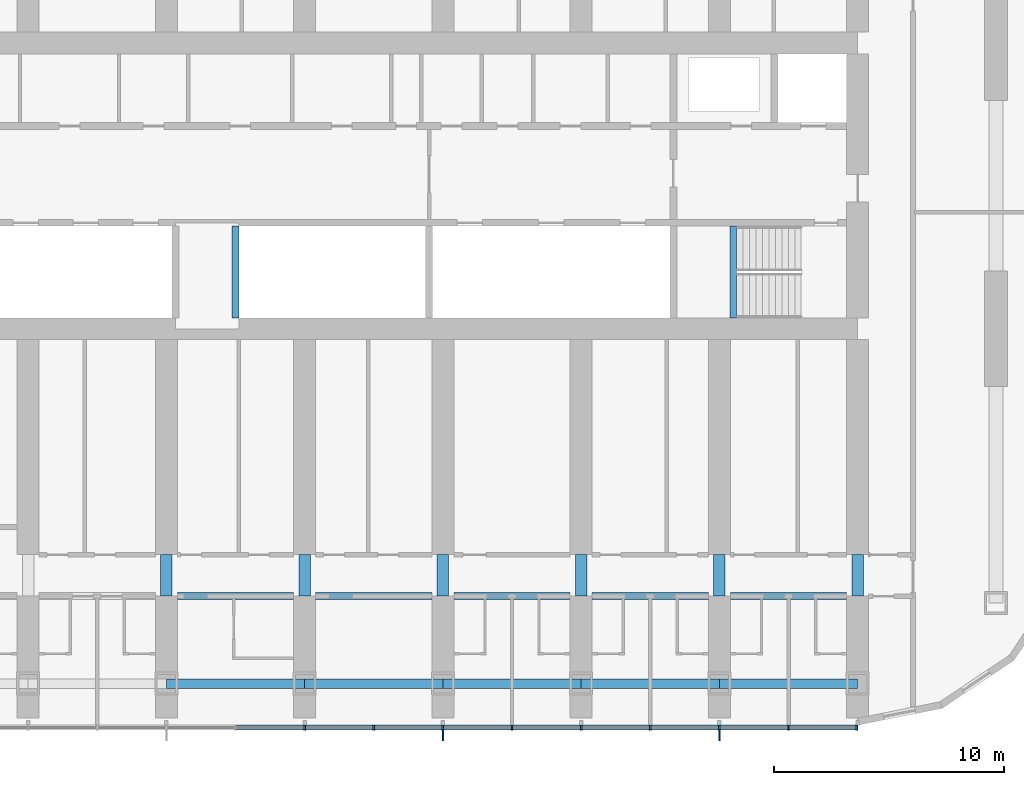
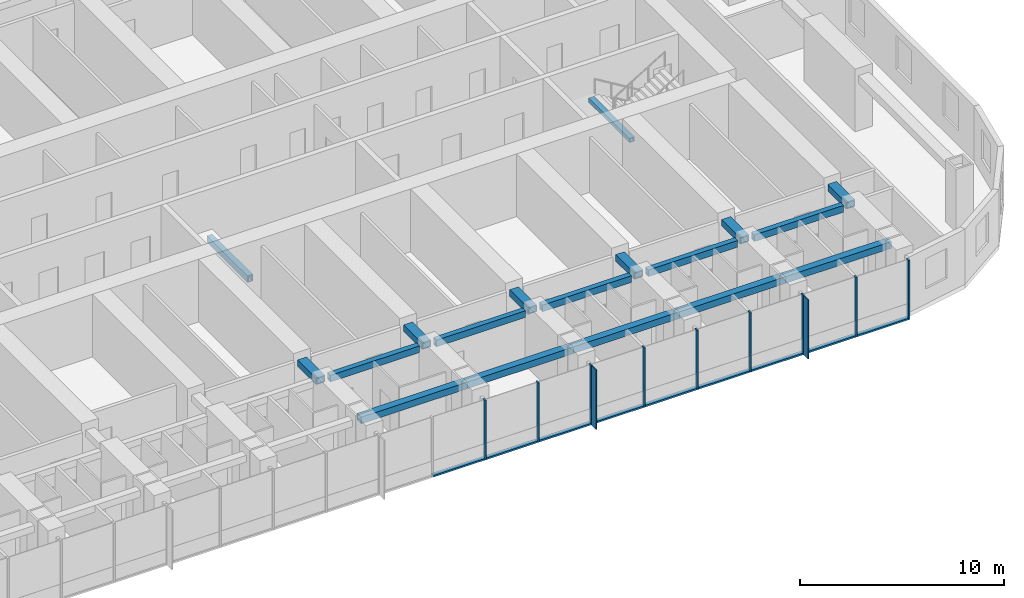
# One storey, part 3 of 22: 20 members, 18 beams, 1 element without a shape of its own.
"""IFC4 building model written with IfcOpenShell, lengths in metres."""

from ifc_helpers import new_model, si_unit, direction, frame, origin, origin_2d, place, context, subcontext, project, spatial, rectangle, hollow_rectangle, extrude, material, material_profile, profile_set, type_object, element, aggregate, save


model = new_model("IFC4")

# Units and contexts
model_context = context("Model", 3, precision=1e-05, world=origin(), true_north=direction((0.0, 1.0)))
body_context = subcontext(model_context, "Body", "Model", "MODEL_VIEW")
ifc_project = project(units=[si_unit("LENGTHUNIT", "METRE"), si_unit("AREAUNIT", "SQUARE_METRE"), si_unit("VOLUMEUNIT", "CUBIC_METRE"), si_unit("PLANEANGLEUNIT", "RADIAN"), si_unit("MASSUNIT", "GRAM", prefix="KILO")], contexts=[model_context])

# Site, building, storey
site_placement = place(None, origin())
site = spatial("IfcSite", under=ifc_project, at=site_placement, CompositionType="ELEMENT")
building_placement = place(site_placement, origin())
building = spatial("IfcBuilding", under=site, at=building_placement, Name="Orbita Commons", CompositionType="ELEMENT")
storey_placement = place(building_placement, frame((0.0, 0.0, 80.64990234375)))
storey = spatial("IfcBuildingStorey", under=building, at=storey_placement, Name="L19", CompositionType="ELEMENT", Elevation=80.64990234375)

# Curtain wall, members
ifc_material_1 = material(Name="Anodised aluminium frame, pale silver", Category="aluminium")
curtain_wall_type = type_object("IfcCurtainWallType", Name="Unitised curtain wall CW-T, vision and spandrel", PredefinedType="NOTDEFINED", material=ifc_material_1)
curtain_wall_placement = place(storey_placement, origin())
curtain_wall = element("IfcCurtainWall", 1, at=curtain_wall_placement, inside=storey, type_object=curtain_wall_type, Name="Curtain wall south L19", PredefinedType="NOTDEFINED")
ifc_material_2 = material(Name="Anodised aluminium, pale silver", Category="aluminium")
ifc_material_profile_1 = material_profile(ifc_material_2, rectangle(XDim=0.080078125, YDim=0.219970703125, at=origin_2d()), Name="AL 80x220")
ifc_profile_set_1 = profile_set([ifc_material_profile_1], Name="Anodised aluminium, pale silver")
member_type_1 = type_object("IfcMemberType", Name="Curtain wall mullion 80x220", PredefinedType="MULLION", material=ifc_profile_set_1)
member_1_placement = place(storey_placement, frame((42.0, 8.489990234375, -0.25), z_axis=(0.0, 0.0, 1.0), x_axis=(1.0, 0.0, 0.0)))
member_1 = element("IfcMember", 2, at=member_1_placement, type_object=member_type_1, Name="Mullion 11 CW-L19-S", PredefinedType="MULLION", context=body_context, shape_type="SweptSolid", body=[
    extrude(rectangle(XDim=0.080078125, YDim=0.219970703125, at=origin_2d()), origin(), (0.0, 0.0, 1.0), 3.550048828125),
])
member_2_placement = place(storey_placement, frame((45.0, 8.489990234375, -0.25), z_axis=(0.0, 0.0, 1.0), x_axis=(1.0, 0.0, 0.0)))
member_2 = element("IfcMember", 3, at=member_2_placement, type_object=member_type_1, Name="Mullion 12 CW-L19-S", PredefinedType="MULLION", context=body_context, shape_type="SweptSolid", body=[
    extrude(rectangle(XDim=0.080078125, YDim=0.219970703125, at=origin_2d()), origin(), (0.0, 0.0, 1.0), 3.550048828125),
])
member_3_placement = place(storey_placement, frame((48.0, 8.489990234375, -0.25), z_axis=(0.0, 0.0, 1.0), x_axis=(1.0, 0.0, 0.0)))
member_3 = element("IfcMember", 4, at=member_3_placement, type_object=member_type_1, Name="Mullion 13 CW-L19-S", PredefinedType="MULLION", context=body_context, shape_type="SweptSolid", body=[
    extrude(rectangle(XDim=0.080078125, YDim=0.219970703125, at=origin_2d()), origin(), (0.0, 0.0, 1.0), 3.550048828125),
])
member_4_placement = place(storey_placement, frame((51.0, 8.489990234375, -0.25), z_axis=(0.0, 0.0, 1.0), x_axis=(1.0, 0.0, 0.0)))
member_4 = element("IfcMember", 5, at=member_4_placement, type_object=member_type_1, Name="Mullion 14 CW-L19-S", PredefinedType="MULLION", context=body_context, shape_type="SweptSolid", body=[
    extrude(rectangle(XDim=0.080078125, YDim=0.219970703125, at=origin_2d()), origin(), (0.0, 0.0, 1.0), 3.550048828125),
])
member_5_placement = place(storey_placement, frame((54.0, 8.489990234375, -0.25), z_axis=(0.0, 0.0, 1.0), x_axis=(1.0, 0.0, 0.0)))
member_5 = element("IfcMember", 6, at=member_5_placement, type_object=member_type_1, Name="Mullion 15 CW-L19-S", PredefinedType="MULLION", context=body_context, shape_type="SweptSolid", body=[
    extrude(rectangle(XDim=0.080078125, YDim=0.219970703125, at=origin_2d()), origin(), (0.0, 0.0, 1.0), 3.550048828125),
])
member_6_placement = place(storey_placement, frame((57.0, 8.489990234375, -0.25), z_axis=(0.0, 0.0, 1.0), x_axis=(1.0, 0.0, 0.0)))
member_6 = element("IfcMember", 7, at=member_6_placement, type_object=member_type_1, Name="Mullion 16 CW-L19-S", PredefinedType="MULLION", context=body_context, shape_type="SweptSolid", body=[
    extrude(rectangle(XDim=0.080078125, YDim=0.219970703125, at=origin_2d()), origin(), (0.0, 0.0, 1.0), 3.550048828125),
])
member_7_placement = place(storey_placement, frame((60.0, 8.489990234375, -0.25), z_axis=(0.0, 0.0, 1.0), x_axis=(1.0, 0.0, 0.0)))
member_7 = element("IfcMember", 8, at=member_7_placement, type_object=member_type_1, Name="Mullion 17 CW-L19-S", PredefinedType="MULLION", context=body_context, shape_type="SweptSolid", body=[
    extrude(rectangle(XDim=0.080078125, YDim=0.219970703125, at=origin_2d()), origin(), (0.0, 0.0, 1.0), 3.550048828125),
])
member_8_placement = place(storey_placement, frame((63.0, 8.489990234375, -0.25), z_axis=(0.0, 0.0, 1.0), x_axis=(1.0, 0.0, 0.0)))
member_8 = element("IfcMember", 9, at=member_8_placement, type_object=member_type_1, Name="Mullion 18 CW-L19-S", PredefinedType="MULLION", context=body_context, shape_type="SweptSolid", body=[
    extrude(rectangle(XDim=0.080078125, YDim=0.219970703125, at=origin_2d()), origin(), (0.0, 0.0, 1.0), 3.550048828125),
])
member_9_placement = place(storey_placement, frame((65.9599609375, 8.489990234375, -0.25), z_axis=(0.0, 0.0, 1.0), x_axis=(1.0, 0.0, 0.0)))
member_9 = element("IfcMember", 10, at=member_9_placement, type_object=member_type_1, Name="Mullion 19 CW-L19-S", PredefinedType="MULLION", context=body_context, shape_type="SweptSolid", body=[
    extrude(rectangle(XDim=0.080078125, YDim=0.219970703125, at=origin_2d()), origin(), (0.0, 0.0, 1.0), 3.550048828125),
])
ifc_material_3 = material(Name="Anodised aluminium, pale silver", Category="aluminium")
ifc_material_profile_2 = material_profile(ifc_material_3, rectangle(XDim=0.219970703125, YDim=0.10009765625, at=origin_2d()), Name="AL 220x100")
ifc_profile_set_2 = profile_set([ifc_material_profile_2], Name="Anodised aluminium, pale silver")
member_type_2 = type_object("IfcMemberType", Name="Curtain wall stack transom 220x100", PredefinedType="USERDEFINED", material=ifc_profile_set_2)
member_10_placement = place(storey_placement, frame((39.0400390625, 8.489990234375, -0.199951171875), z_axis=(1.0, 0.0, 0.0), x_axis=(0.0, 1.0, 0.0)))
member_10 = element("IfcMember", 11, at=member_10_placement, type_object=member_type_2, Name="Transom 10.1 CW-L19-S", ObjectType="TRANSOM", PredefinedType="USERDEFINED", context=body_context, shape_type="SweptSolid", body=[
    extrude(rectangle(XDim=0.219970703125, YDim=0.10009765625, at=origin_2d()), origin(), (0.0, 0.0, 1.0), 2.919921875),
])
member_11_placement = place(storey_placement, frame((42.0400390625, 8.489990234375, -0.199951171875), z_axis=(1.0, 0.0, 0.0), x_axis=(0.0, 1.0, 0.0)))
member_11 = element("IfcMember", 12, at=member_11_placement, type_object=member_type_2, Name="Transom 11.1 CW-L19-S", ObjectType="TRANSOM", PredefinedType="USERDEFINED", context=body_context, shape_type="SweptSolid", body=[
    extrude(rectangle(XDim=0.219970703125, YDim=0.10009765625, at=origin_2d()), origin(), (0.0, 0.0, 1.0), 2.919921875),
])
member_12_placement = place(storey_placement, frame((45.0400390625, 8.489990234375, -0.199951171875), z_axis=(1.0, 0.0, 0.0), x_axis=(0.0, 1.0, 0.0)))
member_12 = element("IfcMember", 13, at=member_12_placement, type_object=member_type_2, Name="Transom 12.1 CW-L19-S", ObjectType="TRANSOM", PredefinedType="USERDEFINED", context=body_context, shape_type="SweptSolid", body=[
    extrude(rectangle(XDim=0.219970703125, YDim=0.10009765625, at=origin_2d()), origin(), (0.0, 0.0, 1.0), 2.919921875),
])
member_13_placement = place(storey_placement, frame((48.0400390625, 8.489990234375, -0.199951171875), z_axis=(1.0, 0.0, 0.0), x_axis=(0.0, 1.0, 0.0)))
member_13 = element("IfcMember", 14, at=member_13_placement, type_object=member_type_2, Name="Transom 13.1 CW-L19-S", ObjectType="TRANSOM", PredefinedType="USERDEFINED", context=body_context, shape_type="SweptSolid", body=[
    extrude(rectangle(XDim=0.219970703125, YDim=0.10009765625, at=origin_2d()), origin(), (0.0, 0.0, 1.0), 2.919921875),
])
member_14_placement = place(storey_placement, frame((51.0400390625, 8.489990234375, -0.199951171875), z_axis=(1.0, 0.0, 0.0), x_axis=(0.0, 1.0, 0.0)))
member_14 = element("IfcMember", 15, at=member_14_placement, type_object=member_type_2, Name="Transom 14.1 CW-L19-S", ObjectType="TRANSOM", PredefinedType="USERDEFINED", context=body_context, shape_type="SweptSolid", body=[
    extrude(rectangle(XDim=0.219970703125, YDim=0.10009765625, at=origin_2d()), origin(), (0.0, 0.0, 1.0), 2.919921875),
])
member_15_placement = place(storey_placement, frame((54.0400390625, 8.489990234375, -0.199951171875), z_axis=(1.0, 0.0, 0.0), x_axis=(0.0, 1.0, 0.0)))
member_15 = element("IfcMember", 16, at=member_15_placement, type_object=member_type_2, Name="Transom 15.1 CW-L19-S", ObjectType="TRANSOM", PredefinedType="USERDEFINED", context=body_context, shape_type="SweptSolid", body=[
    extrude(rectangle(XDim=0.219970703125, YDim=0.10009765625, at=origin_2d()), origin(), (0.0, 0.0, 1.0), 2.919921875),
])
member_16_placement = place(storey_placement, frame((57.0400390625, 8.489990234375, -0.199951171875), z_axis=(1.0, 0.0, 0.0), x_axis=(0.0, 1.0, 0.0)))
member_16 = element("IfcMember", 17, at=member_16_placement, type_object=member_type_2, Name="Transom 16.1 CW-L19-S", ObjectType="TRANSOM", PredefinedType="USERDEFINED", context=body_context, shape_type="SweptSolid", body=[
    extrude(rectangle(XDim=0.219970703125, YDim=0.10009765625, at=origin_2d()), origin(), (0.0, 0.0, 1.0), 2.919921875),
])
member_17_placement = place(storey_placement, frame((60.0400390625, 8.489990234375, -0.199951171875), z_axis=(1.0, 0.0, 0.0), x_axis=(0.0, 1.0, 0.0)))
member_17 = element("IfcMember", 18, at=member_17_placement, type_object=member_type_2, Name="Transom 17.1 CW-L19-S", ObjectType="TRANSOM", PredefinedType="USERDEFINED", context=body_context, shape_type="SweptSolid", body=[
    extrude(rectangle(XDim=0.219970703125, YDim=0.10009765625, at=origin_2d()), origin(), (0.0, 0.0, 1.0), 2.919921875),
])
member_18_placement = place(storey_placement, frame((63.0400390625, 8.489990234375, -0.199951171875), z_axis=(1.0, 0.0, 0.0), x_axis=(0.0, 1.0, 0.0)))
member_18 = element("IfcMember", 19, at=member_18_placement, type_object=member_type_2, Name="Transom 18.1 CW-L19-S", ObjectType="TRANSOM", PredefinedType="USERDEFINED", context=body_context, shape_type="SweptSolid", body=[
    extrude(rectangle(XDim=0.219970703125, YDim=0.10009765625, at=origin_2d()), origin(), (0.0, 0.0, 1.0), 2.8798828125),
])

# Beams
ifc_material_4 = material(Name="Steel ASTM A572 Gr 50 welded plate", Category="steel")
ifc_material_profile_3 = material_profile(ifc_material_4, hollow_rectangle(XDim=0.300048828125, YDim=0.39990234375, WallThickness=0.0400390625, at=origin_2d()), Name="BOX 400x300x40")
ifc_profile_set_3 = profile_set([ifc_material_profile_3], Name="Steel ASTM A572 Gr 50 welded plate")
beam_type_1 = type_object("IfcBeamType", Name="Lift overrun beam steel BOX 400x300x40", PredefinedType="BEAM", material=ifc_profile_set_3)
beam_1_placement = place(storey_placement, frame((39.0, 26.27490234375, 0.800048828125), z_axis=(0.0, 1.0, 0.0), x_axis=(-1.0, 0.0, 0.0)))
element("IfcBeam", 20, at=beam_1_placement, inside=storey, type_object=beam_type_1, Name="Lift overrun roof bank SH1 beam e", PredefinedType="BEAM", context=body_context, shape_type="SweptSolid", body=[
    extrude(hollow_rectangle(XDim=0.300048828125, YDim=0.39990234375, WallThickness=0.0400390625, at=origin_2d()), origin(), (0.0, 0.0, 1.0), 3.97509765625),
])
ifc_material_5 = material(Name="Steel ASTM A572 Gr 50 welded plate", Category="steel")
ifc_material_profile_4 = material_profile(ifc_material_5, hollow_rectangle(XDim=0.300048828125, YDim=0.25, WallThickness=0.02490234375, at=origin_2d()), Name="BOX 250x300x25")
ifc_profile_set_4 = profile_set([ifc_material_profile_4], Name="Steel ASTM A572 Gr 50 welded plate")
beam_type_2 = type_object("IfcBeamType", Name="Stair landing beam steel BOX 250x300x25", PredefinedType="BEAM", material=ifc_profile_set_4)
beam_2_placement = place(storey_placement, frame((60.60009765625, 26.260009765625, 1.550048828125), z_axis=(0.0, 1.0, 0.0), x_axis=(-1.0, 0.0, 0.0)))
element("IfcBeam", 21, at=beam_2_placement, inside=storey, type_object=beam_type_2, Name="Stair S2 landing beam L19 1", PredefinedType="BEAM", context=body_context, shape_type="SweptSolid", body=[
    extrude(hollow_rectangle(XDim=0.300048828125, YDim=0.25, WallThickness=0.02490234375, at=origin_2d()), origin(), (0.0, 0.0, 1.0), 4.0048828125),
])
ifc_material_6 = material(Name="Steel ASTM A572 Gr 50 welded plate", Category="steel")
ifc_material_profile_5 = material_profile(ifc_material_6, hollow_rectangle(XDim=0.300048828125, YDim=0.39990234375, WallThickness=0.0400390625, at=origin_2d()), Name="BOX 400x300x40")
ifc_profile_set_5 = profile_set([ifc_material_profile_5], Name="Steel ASTM A572 Gr 50 welded plate")
beam_type_3 = type_object("IfcBeamType", Name="Steel corridor link BOX 400x300x40", PredefinedType="BEAM", material=ifc_profile_set_5)
for number, where, z_axis, x_axis, name in (
    (22, (36.47509765625, 14.199951171875, 3.10009765625), (1.0, 0.0, 0.0), (0.0, 1.0, 0.0), "Corridor beam SA 7-8 L19"),
    (23, (42.47509765625, 14.199951171875, 3.10009765625), (1.0, 0.0, 0.0), (0.0, 1.0, 0.0), "Corridor beam SA 8-9 L19"),
    (24, (48.47509765625, 14.199951171875, 3.10009765625), (1.0, 0.0, 0.0), (0.0, 1.0, 0.0), "Corridor beam SA 9-10 L19"),
    (25, (54.47509765625, 14.199951171875, 3.10009765625), (1.0, 0.0, 0.0), (0.0, 1.0, 0.0), "Corridor beam SA 10-11 L19"),
    (26, (60.47509765625, 14.199951171875, 3.10009765625), (1.0, 0.0, 0.0), (0.0, 1.0, 0.0), "Corridor beam SA 11-12 L19"),
):
    element("IfcBeam", number, at=place(storey_placement, frame(where, z_axis=z_axis, x_axis=x_axis)), inside=storey, type_object=beam_type_3, Name=name, PredefinedType="BEAM", context=body_context, shape_type="SweptSolid", body=[
        extrude(hollow_rectangle(XDim=0.300048828125, YDim=0.39990234375, WallThickness=0.0400390625, at=origin_2d()), origin(), (0.0, 0.0, 1.0), 5.0498046875),
    ])
ifc_material_7 = material(Name="Steel ASTM A572 Gr 50 welded plate", Category="steel")
ifc_material_profile_6 = material_profile(ifc_material_7, hollow_rectangle(XDim=0.5, YDim=0.39990234375, WallThickness=0.050048828125, at=origin_2d()), Name="BOX 400x500x50")
ifc_profile_set_6 = profile_set([ifc_material_profile_6], Name="Steel ASTM A572 Gr 50 welded plate")
beam_type_4 = type_object("IfcBeamType", Name="Steel coupling link BOX 400x500x50", PredefinedType="LINTEL", material=ifc_profile_set_6)
for number, where, z_axis, x_axis, name in (
    (27, (36.0, 14.199951171875, 3.10009765625), (0.0, 1.0, 0.0), (-1.0, 0.0, 0.0), "Coupling beam 7 south L19"),
    (28, (42.0, 14.199951171875, 3.10009765625), (0.0, 1.0, 0.0), (-1.0, 0.0, 0.0), "Coupling beam 8 south L19"),
    (29, (48.0, 14.199951171875, 3.10009765625), (0.0, 1.0, 0.0), (-1.0, 0.0, 0.0), "Coupling beam 9 south L19"),
    (30, (54.0, 14.199951171875, 3.10009765625), (0.0, 1.0, 0.0), (-1.0, 0.0, 0.0), "Coupling beam 10 south L19"),
    (31, (60.0, 14.199951171875, 3.10009765625), (0.0, 1.0, 0.0), (-1.0, 0.0, 0.0), "Coupling beam 11 south L19"),
    (32, (66.0, 14.199951171875, 3.10009765625), (0.0, 1.0, 0.0), (-1.0, 0.0, 0.0), "Coupling beam 12 south L19"),
):
    element("IfcBeam", number, at=place(storey_placement, frame(where, z_axis=z_axis, x_axis=x_axis)), inside=storey, type_object=beam_type_4, Name=name, PredefinedType="LINTEL", context=body_context, shape_type="SweptSolid", body=[
        extrude(hollow_rectangle(XDim=0.5, YDim=0.39990234375, WallThickness=0.050048828125, at=origin_2d()), origin(), (0.0, 0.0, 1.0), 1.800048828125),
    ])
ifc_material_8 = material(Name="Steel ASTM A572 Gr 50 welded plate", Category="steel")
ifc_material_profile_7 = material_profile(ifc_material_8, hollow_rectangle(XDim=0.39990234375, YDim=0.39990234375, WallThickness=0.0400390625, at=origin_2d()), Name="BOX 400x400x40")
ifc_profile_set_7 = profile_set([ifc_material_profile_7], Name="Steel ASTM A572 Gr 50 welded plate")
beam_type_5 = type_object("IfcBeamType", Name="Steel spandrel BOX 400x400x40", PredefinedType="SPANDREL", material=ifc_profile_set_7)
for number, where, z_axis, x_axis, name in (
    (33, (36.0, 10.39990234375, 3.10009765625), (1.0, 0.0, 0.0), (0.0, 1.0, 0.0), "Spandrel beam B 7-8 L19"),
    (34, (42.0, 10.39990234375, 3.10009765625), (1.0, 0.0, 0.0), (0.0, 1.0, 0.0), "Spandrel beam B 8-9 L19"),
    (35, (48.0, 10.39990234375, 3.10009765625), (1.0, 0.0, 0.0), (0.0, 1.0, 0.0), "Spandrel beam B 9-10 L19"),
    (36, (54.0, 10.39990234375, 3.10009765625), (1.0, 0.0, 0.0), (0.0, 1.0, 0.0), "Spandrel beam B 10-11 L19"),
    (37, (60.0, 10.39990234375, 3.10009765625), (1.0, 0.0, 0.0), (0.0, 1.0, 0.0), "Spandrel beam B 11-12 L19"),
):
    element("IfcBeam", number, at=place(storey_placement, frame(where, z_axis=z_axis, x_axis=x_axis)), inside=storey, type_object=beam_type_5, Name=name, PredefinedType="SPANDREL", context=body_context, shape_type="SweptSolid", body=[
        extrude(hollow_rectangle(XDim=0.39990234375, YDim=0.39990234375, WallThickness=0.0400390625, at=origin_2d()), origin(), (0.0, 0.0, 1.0), 6.0),
    ])

# Member
ifc_material_9 = material(Name="Anodised aluminium, pale silver", Category="aluminium")
ifc_material_profile_8 = material_profile(ifc_material_9, rectangle(XDim=0.06005859375, YDim=0.449951171875, at=origin_2d()), Name="FIN 60x450")
ifc_profile_set_8 = profile_set([ifc_material_profile_8], Name="Anodised aluminium, pale silver")
member_type_3 = type_object("IfcMemberType", Name="Vertical fin 60x450 pale aluminium", PredefinedType="USERDEFINED", material=ifc_profile_set_8)
member_19_placement = place(storey_placement, frame((48.0, 8.155029296875, -0.25), z_axis=(0.0, 0.0, 1.0), x_axis=(1.0, 0.0, 0.0)))
member_19 = element("IfcMember", 38, at=member_19_placement, type_object=member_type_3, Name="Fin 13 CW-L19-S", ObjectType="FIN", PredefinedType="USERDEFINED", context=body_context, shape_type="SweptSolid", body=[
    extrude(rectangle(XDim=0.06005859375, YDim=0.449951171875, at=origin_2d()), origin(), (0.0, 0.0, 1.0), 3.550048828125),
])

member_20_placement = place(storey_placement, frame((60.0, 8.155029296875, -0.25), z_axis=(0.0, 0.0, 1.0), x_axis=(1.0, 0.0, 0.0)))
member_20 = element("IfcMember", 39, at=member_20_placement, type_object=member_type_3, Name="Fin 17 CW-L19-S", ObjectType="FIN", PredefinedType="USERDEFINED", context=body_context, shape_type="SweptSolid", body=[
    extrude(rectangle(XDim=0.06005859375, YDim=0.449951171875, at=origin_2d()), origin(), (0.0, 0.0, 1.0), 3.550048828125),
])

aggregate(curtain_wall, [member_1, member_2, member_3, member_19, member_4, member_5, member_6, member_7, member_20, member_8, member_9, member_10, member_11, member_12, member_13, member_14, member_15, member_16, member_17, member_18])

save(model, "model.ifc")
